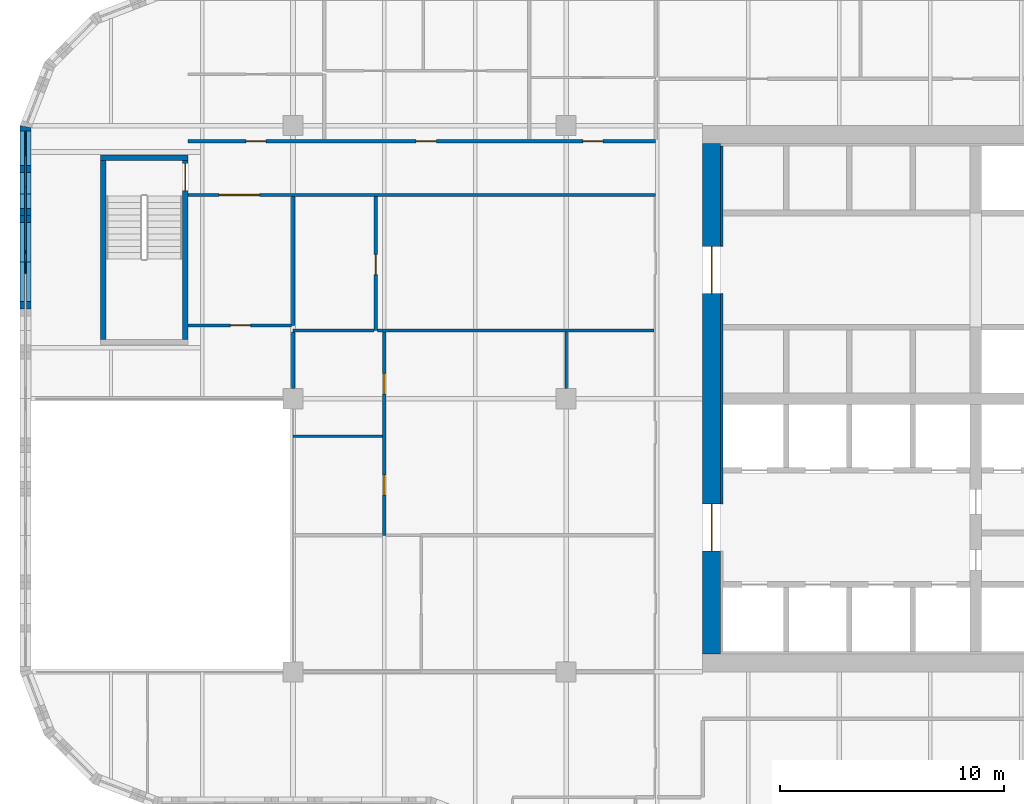
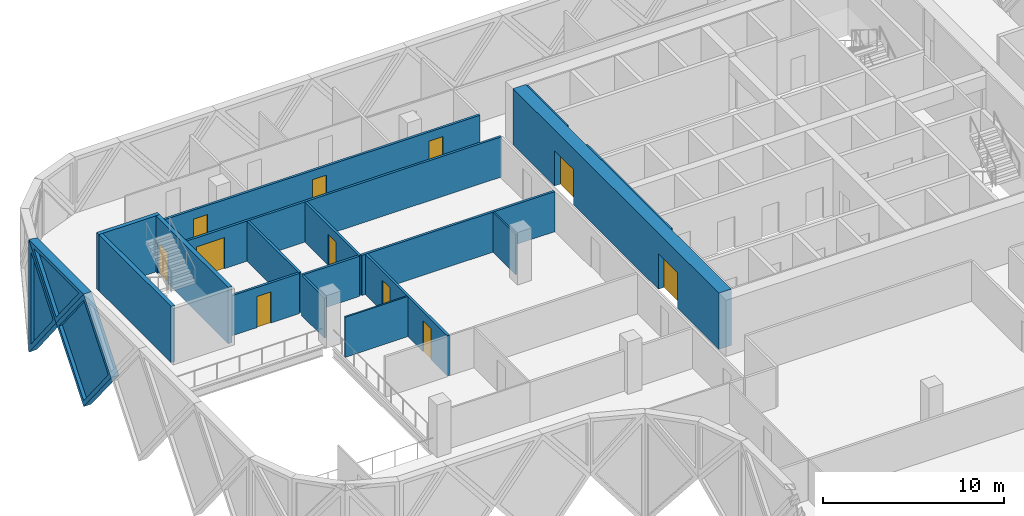
# One storey, part 10 of 24: 20 walls, 11 doors, 3 plates, 14 openings.
"""IFC4 building model written with IfcOpenShell, lengths in metres."""

from ifc_helpers import new_model, si_unit, direction, frame, frame_2d, origin, place, context, subcontext, project, spatial, polyline, rectangle, outline, extrude, faceted_brep, source, transform, mapped, material, layer, layer_set, type_object, element, fill, save


model = new_model("IFC4")

# Units and contexts
model_context = context("Model", 3, precision=1e-05, world=origin(), true_north=direction((0.0, 1.0)))
body_context = subcontext(model_context, "Body", "Model", "MODEL_VIEW")
ifc_project = project(units=[si_unit("LENGTHUNIT", "METRE"), si_unit("AREAUNIT", "SQUARE_METRE"), si_unit("VOLUMEUNIT", "CUBIC_METRE"), si_unit("PLANEANGLEUNIT", "RADIAN"), si_unit("MASSUNIT", "GRAM", prefix="KILO")], contexts=[model_context])

# Site, building, storey
site_placement = place(None, origin())
site = spatial("IfcSite", under=ifc_project, at=site_placement, CompositionType="ELEMENT")
building_placement = place(site_placement, origin())
building = spatial("IfcBuilding", under=site, at=building_placement, Name="Tessera Gate Towers", CompositionType="ELEMENT")
storey_placement = place(building_placement, frame((0.0, 0.0, 102.800048828125)))
storey = spatial("IfcBuildingStorey", under=building, at=storey_placement, Name="L25", CompositionType="ELEMENT", Elevation=102.800048828125)

# Walls
ifc_material_1 = material(Name="Concrete C40/50", Category="concrete")
ifc_layer_1 = layer(ifc_material_1, 0.25)
ifc_layer_set_1 = layer_set([ifc_layer_1], Name="CORE ENCLOSURE WALL 250")
wall_type_1 = type_object("IfcWallType", Name="CORE ENCLOSURE WALL 250", PredefinedType="SOLIDWALL", material=ifc_layer_set_1)
wall_1_placement = place(storey_placement, frame((3.72509765625, 39.25, 0.0), z_axis=(0.0, 0.0, 1.0), x_axis=(0.0, 1.0, 0.0)))
element("IfcWall", 1, at=wall_1_placement, inside=storey, type_object=wall_type_1, Name="L25 ST3 enclosure wall", PredefinedType="SOLIDWALL", context=body_context, shape_type="SweptSolid", body=[
    extrude(rectangle(XDim=8.0, YDim=0.25, at=frame_2d((4.0, 0.0))), origin(), (0.0, 0.0, 1.0), 3.800048828125),
])
wall_2_placement = place(storey_placement, frame((3.60009765625, 47.375, 0.0), z_axis=(0.0, 0.0, 1.0), x_axis=(1.0, 0.0, 0.0)))
element("IfcWall", 2, at=wall_2_placement, inside=storey, type_object=wall_type_1, Name="L25 ST3 enclosure wall", PredefinedType="SOLIDWALL", context=body_context, shape_type="SweptSolid", body=[
    extrude(rectangle(XDim=3.89990234375, YDim=0.25, at=frame_2d((1.949951171875, 0.0))), origin(), (0.0, 0.0, 1.0), 3.800048828125),
])

# Wall, opening, door
wall_3_placement = place(storey_placement, frame((7.375, 47.25, 0.0), z_axis=(0.0, 0.0, 1.0), x_axis=(0.0, -1.0, 0.0)))
wall_3 = element("IfcWall", 3, at=wall_3_placement, inside=storey, type_object=wall_type_1, Name="L25 ST3 enclosure wall", PredefinedType="SOLIDWALL", context=body_context, shape_type="SweptSolid", body=[
    extrude(rectangle(XDim=8.0, YDim=0.25, at=frame_2d((4.0, 0.0))), origin(), (0.0, 0.0, 1.0), 3.800048828125),
])
shared_shape_1 = source(origin(), body_context, "Body", "SweptSolid", [
    extrude(rectangle(XDim=1.199951171875, YDim=2.10009765625, at=frame_2d((0.60009765625, 1.050048828125))), frame((0.0, 0.135009765625, 0.0), z_axis=(0.0, -1.0, 0.0), x_axis=(1.0, 0.0, 0.0)), (0.0, 0.0, 1.0), 0.27001953125),
])
opening_1_placement = place(wall_3_placement, frame((0.14990234375, 0.0, 0.0)))
opening_1 = element("IfcOpeningElement", 4, at=opening_1_placement, cuts=wall_3, Name="Opening SD-ST3-1", PredefinedType="OPENING", context=body_context, shape_type="MappedRepresentation", body=[
    mapped(shared_shape_1, transform((0.0, 0.0, 0.0), scale=1.0)),
])
ifc_material_2 = material(Name="Hollow steel fire door", Category="steel")
door_type_1 = type_object("IfcDoorType", Name="CORE DOOR SD 1200x2100", OperationType="NOTDEFINED", PredefinedType="DOOR", material=ifc_material_2)
shared_shape_2 = source(origin(), body_context, "Body", "SweptSolid", [
    extrude(rectangle(XDim=1.199951171875, YDim=2.10009765625, at=frame_2d((0.60009765625, 1.050048828125))), frame((0.0, 0.02490234375, 0.0), z_axis=(0.0, -1.0, 0.0), x_axis=(1.0, 0.0, 0.0)), (0.0, 0.0, 1.0), 0.050048828125),
])
door_1_placement = place(opening_1_placement, origin())
door_1 = element("IfcDoor", 5, at=door_1_placement, inside=storey, type_object=door_type_1, Name="Stair door", OperationType="SINGLE_SWING_LEFT", OverallHeight=2.10009765625, OverallWidth=1.199951171875, PredefinedType="DOOR", context=body_context, shape_type="MappedRepresentation", body=[
    mapped(shared_shape_2, transform((0.0, 0.0, 0.0), scale=1.0)),
])
fill(opening_1, door_1)

# Wall, openings, doors
ifc_material_3 = material(Name="Concrete C60/75", Category="concrete")
ifc_layer_2 = layer(ifc_material_3, 0.800048828125)
ifc_layer_set_2 = layer_set([ifc_layer_2], Name="CORE SHEAR WALL 800 C60/75")
wall_type_2 = type_object("IfcWallType", Name="CORE SHEAR WALL 800 C60/75", PredefinedType="SHEAR", material=ifc_layer_set_2)
wall_4_placement = place(storey_placement, frame((30.89990234375, 25.199951171875, 0.0), z_axis=(0.0, 0.0, 1.0), x_axis=(0.0, 1.0, 0.0)))
wall_4 = element("IfcWall", 6, at=wall_4_placement, inside=storey, type_object=wall_type_2, Name="Core wall W L25", PredefinedType="SHEAR", context=body_context, shape_type="SweptSolid", body=[
    extrude(rectangle(XDim=22.800048828125, YDim=0.800048828125, at=frame_2d((11.39990234375, 0.0))), origin(), (0.0, 0.0, 1.0), 3.800048828125),
])
shared_shape_3 = source(origin(), body_context, "Body", "SweptSolid", [
    extrude(rectangle(XDim=2.10009765625, YDim=2.39990234375, at=frame_2d((1.050048828125, 1.199951171875))), frame((0.0, 0.409912109375, 0.0), z_axis=(0.0, -1.0, 0.0), x_axis=(1.0, 0.0, 0.0)), (0.0, 0.0, 1.0), 0.820068359375),
])
opening_2_placement = place(wall_4_placement, frame((4.60009765625, 0.0, 0.0)))
opening_2 = element("IfcOpeningElement", 7, at=opening_2_placement, cuts=wall_4, Name="Opening DD-T1-17-02", PredefinedType="OPENING", context=body_context, shape_type="MappedRepresentation", body=[
    mapped(shared_shape_3, transform((0.0, 0.0, 0.0), scale=1.0)),
])
opening_3_placement = place(wall_4_placement, frame((16.10009765625, 0.0, 0.0)))
opening_3 = element("IfcOpeningElement", 8, at=opening_3_placement, cuts=wall_4, Name="Opening DD-T1-17-03", PredefinedType="OPENING", context=body_context, shape_type="MappedRepresentation", body=[
    mapped(shared_shape_3, transform((0.0, 0.0, 0.0), scale=1.0)),
])
ifc_material_4 = material(Name="Hollow steel fire door", Category="steel")
door_type_2 = type_object("IfcDoorType", Name="CORE DOOR DD 2100x2400", OperationType="NOTDEFINED", PredefinedType="DOOR", material=ifc_material_4)
shared_shape_4 = source(origin(), body_context, "Body", "SweptSolid", [
    extrude(rectangle(XDim=2.10009765625, YDim=2.39990234375, at=frame_2d((1.050048828125, 1.199951171875))), frame((0.0, 0.02490234375, 0.0), z_axis=(0.0, -1.0, 0.0), x_axis=(1.0, 0.0, 0.0)), (0.0, 0.0, 1.0), 0.050048828125),
])
door_2_placement = place(opening_2_placement, origin())
door_2 = element("IfcDoor", 9, at=door_2_placement, inside=storey, type_object=door_type_2, Name="Core entrance door", OperationType="DOUBLE_DOOR_SINGLE_SWING", OverallHeight=2.39990234375, OverallWidth=2.10009765625, PredefinedType="DOOR", context=body_context, shape_type="MappedRepresentation", body=[
    mapped(shared_shape_4, transform((0.0, 0.0, 0.0), scale=1.0)),
])
fill(opening_2, door_2)
door_3_placement = place(opening_3_placement, origin())
door_3 = element("IfcDoor", 10, at=door_3_placement, inside=storey, type_object=door_type_2, Name="Core entrance door", OperationType="DOUBLE_DOOR_SINGLE_SWING", OverallHeight=2.39990234375, OverallWidth=2.10009765625, PredefinedType="DOOR", context=body_context, shape_type="MappedRepresentation", body=[
    mapped(shared_shape_4, transform((0.0, 0.0, 0.0), scale=1.0)),
])
fill(opening_3, door_3)

# Walls
ifc_material_5 = material(Name="Concrete C60/75", Category="concrete")
ifc_layer_3 = layer(ifc_material_5, 0.10009765625)
ifc_layer_set_3 = layer_set([ifc_layer_3], Name="CORE WALL THICKENING 100")
wall_type_3 = type_object("IfcWallType", Name="CORE WALL THICKENING 100", PredefinedType="SOLIDWALL", material=ifc_layer_set_3)
wall_5_placement = place(storey_placement, frame((31.35009765625, 31.89990234375, 0.0), z_axis=(0.0, 0.0, 1.0), x_axis=(0.0, 1.0, 0.0)))
element("IfcWall", 11, at=wall_5_placement, inside=storey, type_object=wall_type_3, Name="Core wall thickening W L25", PredefinedType="SOLIDWALL", context=body_context, shape_type="SweptSolid", body=[
    extrude(rectangle(XDim=9.400146484375, YDim=0.10009765625, at=frame_2d((4.7001953125, 0.0))), origin(), (0.0, 0.0, 1.0), 3.800048828125),
])
wall_6_placement = place(storey_placement, frame((31.35009765625, 43.39990234375, 0.0), z_axis=(0.0, 0.0, 1.0), x_axis=(0.0, 1.0, 0.0)))
element("IfcWall", 12, at=wall_6_placement, inside=storey, type_object=wall_type_3, Name="Core wall thickening W L25", PredefinedType="SOLIDWALL", context=body_context, shape_type="SweptSolid", body=[
    extrude(rectangle(XDim=4.5, YDim=0.10009765625, at=frame_2d((2.25, 0.0))), origin(), (0.0, 0.0, 1.0), 3.800048828125),
])

# Wall, opening, door
ifc_material_6 = material(Name="Gypsum board on steel studs, mineral wool", Category="steel")
ifc_layer_4 = layer(ifc_material_6, 0.14990234375)
ifc_layer_set_4 = layer_set([ifc_layer_4], Name="CORRIDOR WALL 150")
wall_type_4 = type_object("IfcWallType", Name="CORRIDOR WALL 150", PredefinedType="PARTITIONING", material=ifc_layer_set_4)
wall_7_placement = place(storey_placement, frame((28.39990234375, 45.699951171875, 0.0), z_axis=(0.0, 0.0, 1.0), x_axis=(-1.0, 0.0, 0.0)))
wall_7 = element("IfcWall", 13, at=wall_7_placement, inside=storey, type_object=wall_type_4, Name="T1-L25-PW-043", PredefinedType="PARTITIONING", context=body_context, shape_type="SweptSolid", body=[
    extrude(rectangle(XDim=20.89990234375, YDim=0.14990234375, at=frame_2d((10.449951171875, 0.0))), origin(), (0.0, 0.0, 1.0), 2.71484375),
])
shared_shape_5 = source(origin(), body_context, "Body", "SweptSolid", [
    extrude(rectangle(XDim=1.800048828125, YDim=2.10009765625, at=frame_2d((0.89990234375, 1.050048828125))), frame((0.0, 0.0849609375, 0.0), z_axis=(0.0, -1.0, 0.0), x_axis=(1.0, 0.0, 0.0)), (0.0, 0.0, 1.0), 0.169921875),
])
opening_4_placement = place(wall_7_placement, frame((17.699951171875, 0.0, 0.0)))
opening_4 = element("IfcOpeningElement", 14, at=opening_4_placement, cuts=wall_7, Name="Opening D2180FD60-A09-01", PredefinedType="OPENING", context=body_context, shape_type="MappedRepresentation", body=[
    mapped(shared_shape_5, transform((0.0, 0.0, 0.0), scale=1.0)),
])
ifc_material_7 = material(Name="Timber door leaf in steel frame", Category="steel")
door_type_3 = type_object("IfcDoorType", Name="TENANCY ENTRANCE DOUBLE DOOR 1800 FD60", OperationType="NOTDEFINED", PredefinedType="DOOR", material=ifc_material_7)
shared_shape_6 = source(origin(), body_context, "Body", "SweptSolid", [
    extrude(rectangle(XDim=1.800048828125, YDim=2.10009765625, at=frame_2d((0.89990234375, 1.050048828125))), frame((0.0, 0.02490234375, 0.0), z_axis=(0.0, -1.0, 0.0), x_axis=(1.0, 0.0, 0.0)), (0.0, 0.0, 1.0), 0.050048828125),
])
door_4_placement = place(opening_4_placement, origin())
door_4 = element("IfcDoor", 15, at=door_4_placement, inside=storey, type_object=door_type_3, Name="T1-L25-PD-007", OperationType="DOUBLE_DOOR_SINGLE_SWING", OverallHeight=2.10009765625, OverallWidth=1.800048828125, PredefinedType="DOOR", context=body_context, shape_type="MappedRepresentation", body=[
    mapped(shared_shape_6, transform((0.0, 0.0, 0.0), scale=1.0)),
])
fill(opening_4, door_4)

# Wall, openings, doors
wall_8_placement = place(storey_placement, frame((7.5, 48.10009765625, 0.0), z_axis=(0.0, 0.0, 1.0), x_axis=(1.0, 0.0, 0.0)))
wall_8 = element("IfcWall", 16, at=wall_8_placement, inside=storey, type_object=wall_type_4, Name="T1-L25-PW-044", PredefinedType="PARTITIONING", context=body_context, shape_type="SweptSolid", body=[
    extrude(rectangle(XDim=20.89990234375, YDim=0.14990234375, at=frame_2d((10.449951171875, 0.0))), origin(), (0.0, 0.0, 1.0), 2.71484375),
])
shared_shape_7 = source(origin(), body_context, "Body", "SweptSolid", [
    extrude(rectangle(XDim=0.89990234375, YDim=2.10009765625, at=frame_2d((0.449951171875, 1.050048828125))), frame((0.0, 0.0849609375, 0.0), z_axis=(0.0, -1.0, 0.0), x_axis=(1.0, 0.0, 0.0)), (0.0, 0.0, 1.0), 0.169921875),
])
opening_5_placement = place(wall_8_placement, frame((17.65087890625, 0.0, 0.0)))
opening_5 = element("IfcOpeningElement", 17, at=opening_5_placement, cuts=wall_8, Name="Opening D890FD60-A09-02", PredefinedType="OPENING", context=body_context, shape_type="MappedRepresentation", body=[
    mapped(shared_shape_7, transform((0.0, 0.0, 0.0), scale=1.0)),
])
opening_6_placement = place(wall_8_placement, frame((2.60009765625, 0.0, 0.0)))
opening_6 = element("IfcOpeningElement", 18, at=opening_6_placement, cuts=wall_8, Name="Opening D890FD60-A09-04", PredefinedType="OPENING", context=body_context, shape_type="MappedRepresentation", body=[
    mapped(shared_shape_7, transform((0.0, 0.0, 0.0), scale=1.0)),
])
opening_7_placement = place(wall_8_placement, frame((10.199951171875, 0.0, 0.0)))
opening_7 = element("IfcOpeningElement", 19, at=opening_7_placement, cuts=wall_8, Name="Opening D890FD60-A09-09", PredefinedType="OPENING", context=body_context, shape_type="MappedRepresentation", body=[
    mapped(shared_shape_7, transform((0.0, 0.0, 0.0), scale=1.0)),
])
ifc_material_8 = material(Name="Timber door leaf in steel frame", Category="steel")
door_type_4 = type_object("IfcDoorType", Name="CORRIDOR DOOR 900 FD60", OperationType="NOTDEFINED", PredefinedType="DOOR", material=ifc_material_8)
shared_shape_8 = source(origin(), body_context, "Body", "SweptSolid", [
    extrude(rectangle(XDim=0.89990234375, YDim=2.10009765625, at=frame_2d((0.449951171875, 1.050048828125))), frame((0.0, 0.02490234375, 0.0), z_axis=(0.0, -1.0, 0.0), x_axis=(1.0, 0.0, 0.0)), (0.0, 0.0, 1.0), 0.050048828125),
])
door_5_placement = place(opening_5_placement, origin())
door_5 = element("IfcDoor", 20, at=door_5_placement, inside=storey, type_object=door_type_4, Name="T1-L25-PD-010", OperationType="SINGLE_SWING_LEFT", OverallHeight=2.10009765625, OverallWidth=0.89990234375, PredefinedType="DOOR", context=body_context, shape_type="MappedRepresentation", body=[
    mapped(shared_shape_8, transform((0.0, 0.0, 0.0), scale=1.0)),
])
fill(opening_5, door_5)
door_6_placement = place(opening_6_placement, origin())
door_6 = element("IfcDoor", 21, at=door_6_placement, inside=storey, type_object=door_type_4, Name="T1-L25-PD-017", OperationType="SINGLE_SWING_LEFT", OverallHeight=2.10009765625, OverallWidth=0.89990234375, PredefinedType="DOOR", context=body_context, shape_type="MappedRepresentation", body=[
    mapped(shared_shape_8, transform((0.0, 0.0, 0.0), scale=1.0)),
])
fill(opening_6, door_6)
door_7_placement = place(opening_7_placement, origin())
door_7 = element("IfcDoor", 22, at=door_7_placement, inside=storey, type_object=door_type_4, Name="T1-L25-PD-028", OperationType="SINGLE_SWING_LEFT", OverallHeight=2.10009765625, OverallWidth=0.89990234375, PredefinedType="DOOR", context=body_context, shape_type="MappedRepresentation", body=[
    mapped(shared_shape_8, transform((0.0, 0.0, 0.0), scale=1.0)),
])
fill(opening_7, door_7)

# Walls
ifc_material_9 = material(Name="Gypsum board on steel studs", Category="steel")
ifc_layer_5 = layer(ifc_material_9, 0.10009765625)
ifc_layer_set_5 = layer_set([ifc_layer_5], Name="PARTITION 100")
wall_type_5 = type_object("IfcWallType", Name="PARTITION 100", PredefinedType="PARTITIONING", material=ifc_layer_set_5)
wall_9_placement = place(storey_placement, frame((12.199951171875, 34.919921875, 0.0), z_axis=(0.0, 0.0, 1.0), x_axis=(1.0, 0.0, 0.0)))
element("IfcWall", 23, at=wall_9_placement, inside=storey, type_object=wall_type_5, Name="T1-L25-PW-035", PredefinedType="PARTITIONING", context=body_context, shape_type="SweptSolid", body=[
    extrude(rectangle(XDim=3.9990234375, YDim=0.10009765625, at=frame_2d((1.99951171875, 0.0))), origin(), (0.0, 0.0, 1.0), 2.71484375),
])
wall_10_placement = place(storey_placement, frame((24.39990234375, 37.050048828125, 0.0), z_axis=(0.0, 0.0, 1.0), x_axis=(0.0, 1.0, 0.0)))
element("IfcWall", 24, at=wall_10_placement, inside=storey, type_object=wall_type_5, Name="T1-L25-PW-037", PredefinedType="PARTITIONING", context=body_context, shape_type="SweptSolid", body=[
    extrude(rectangle(XDim=2.52490234375, YDim=0.10009765625, at=frame_2d((1.262451171875, 0.0))), origin(), (0.0, 0.0, 1.0), 2.71484375),
])

# Wall, openings, doors
ifc_material_10 = material(Name="Gypsum board on steel studs, mineral wool", Category="steel")
ifc_layer_6 = layer(ifc_material_10, 0.14990234375)
ifc_layer_set_6 = layer_set([ifc_layer_6], Name="TENANCY WALL 150")
wall_type_6 = type_object("IfcWallType", Name="TENANCY WALL 150", PredefinedType="PARTITIONING", material=ifc_layer_set_6)
wall_11_placement = place(storey_placement, frame((16.27490234375, 30.5, 0.0), z_axis=(0.0, 0.0, 1.0), x_axis=(0.0, 1.0, 0.0)))
wall_11 = element("IfcWall", 25, at=wall_11_placement, inside=storey, type_object=wall_type_6, Name="T1-L25-PW-032", PredefinedType="PARTITIONING", context=body_context, shape_type="SweptSolid", body=[
    extrude(rectangle(XDim=9.073974609375, YDim=0.14990234375, at=frame_2d((4.537109375, 0.0))), origin(), (0.0, 0.0, 1.0), 2.71484375),
])
opening_8_placement = place(wall_11_placement, frame((1.800048828125, 0.0, 0.0)))
opening_8 = element("IfcOpeningElement", 26, at=opening_8_placement, cuts=wall_11, Name="Opening D190-A09-02", PredefinedType="OPENING", context=body_context, shape_type="MappedRepresentation", body=[
    mapped(shared_shape_7, transform((0.0, 0.0, 0.0), scale=1.0)),
])
opening_9_placement = place(wall_11_placement, frame((6.3203125, 0.0, 0.0)))
opening_9 = element("IfcOpeningElement", 27, at=opening_9_placement, cuts=wall_11, Name="Opening D190-A09-04", PredefinedType="OPENING", context=body_context, shape_type="MappedRepresentation", body=[
    mapped(shared_shape_7, transform((0.0, 0.0, 0.0), scale=1.0)),
])
ifc_material_11 = material(Name="Timber door leaf in steel frame", Category="steel")
door_type_5 = type_object("IfcDoorType", Name="INTERNAL DOOR 900 NOT RATED", OperationType="NOTDEFINED", PredefinedType="DOOR", material=ifc_material_11)
door_8_placement = place(opening_8_placement, origin())
door_8 = element("IfcDoor", 28, at=door_8_placement, inside=storey, type_object=door_type_5, Name="T1-L25-PD-003", OperationType="SINGLE_SWING_LEFT", OverallHeight=2.10009765625, OverallWidth=0.89990234375, PredefinedType="DOOR", context=body_context, shape_type="MappedRepresentation", body=[
    mapped(shared_shape_8, transform((0.0, 0.0, 0.0), scale=1.0)),
])
fill(opening_8, door_8)
door_9_placement = place(opening_9_placement, origin())
door_9 = element("IfcDoor", 29, at=door_9_placement, inside=storey, type_object=door_type_5, Name="T1-L25-PD-005", OperationType="SINGLE_SWING_LEFT", OverallHeight=2.10009765625, OverallWidth=0.89990234375, PredefinedType="DOOR", context=body_context, shape_type="MappedRepresentation", body=[
    mapped(shared_shape_8, transform((0.0, 0.0, 0.0), scale=1.0)),
])
fill(opening_9, door_9)

# Walls
wall_12_placement = place(storey_placement, frame((12.199951171875, 37.051025390625, 0.0), z_axis=(0.0, 0.0, 1.0), x_axis=(0.0, 1.0, 0.0)))
element("IfcWall", 30, at=wall_12_placement, inside=storey, type_object=wall_type_6, Name="T1-L25-PW-036", PredefinedType="PARTITIONING", context=body_context, shape_type="SweptSolid", body=[
    extrude(rectangle(XDim=2.52294921875, YDim=0.14990234375, at=frame_2d((1.261474609375, 0.0))), origin(), (0.0, 0.0, 1.0), 2.71484375),
])
wall_13_placement = place(storey_placement, frame((12.199951171875, 39.64990234375, 0.0), z_axis=(0.0, 0.0, 1.0), x_axis=(1.0, 0.0, 0.0)))
element("IfcWall", 31, at=wall_13_placement, inside=storey, type_object=wall_type_6, Name="T1-L25-PW-038", PredefinedType="PARTITIONING", context=body_context, shape_type="SweptSolid", body=[
    extrude(rectangle(XDim=3.6240234375, YDim=0.14990234375, at=frame_2d((1.81201171875, 0.0))), origin(), (0.0, 0.0, 1.0), 2.71484375),
])

# Wall, opening, door
wall_14_placement = place(storey_placement, frame((15.89990234375, 39.64990234375, 0.0), z_axis=(0.0, 0.0, 1.0), x_axis=(0.0, 1.0, 0.0)))
wall_14 = element("IfcWall", 32, at=wall_14_placement, inside=storey, type_object=wall_type_6, Name="T1-L25-PW-039", PredefinedType="PARTITIONING", context=body_context, shape_type="SweptSolid", body=[
    extrude(rectangle(XDim=5.97412109375, YDim=0.14990234375, at=frame_2d((2.987060546875, 0.0))), origin(), (0.0, 0.0, 1.0), 2.71484375),
])
opening_10_placement = place(wall_14_placement, frame((2.5, 0.0, 0.0)))
opening_10 = element("IfcOpeningElement", 33, at=opening_10_placement, cuts=wall_14, Name="Opening D190-A09-08", PredefinedType="OPENING", context=body_context, shape_type="MappedRepresentation", body=[
    mapped(shared_shape_7, transform((0.0, 0.0, 0.0), scale=1.0)),
])
door_10_placement = place(opening_10_placement, origin())
door_10 = element("IfcDoor", 34, at=door_10_placement, inside=storey, type_object=door_type_5, Name="T1-L25-PD-014", OperationType="SINGLE_SWING_LEFT", OverallHeight=2.10009765625, OverallWidth=0.89990234375, PredefinedType="DOOR", context=body_context, shape_type="MappedRepresentation", body=[
    mapped(shared_shape_8, transform((0.0, 0.0, 0.0), scale=1.0)),
])
fill(opening_10, door_10)

# Wall
wall_15_placement = place(storey_placement, frame((15.97607421875, 39.64990234375, 0.0), z_axis=(0.0, 0.0, 1.0), x_axis=(1.0, 0.0, 0.0)))
element("IfcWall", 35, at=wall_15_placement, inside=storey, type_object=wall_type_6, Name="T1-L25-PW-040", PredefinedType="PARTITIONING", context=body_context, shape_type="SweptSolid", body=[
    extrude(rectangle(XDim=12.347900390625, YDim=0.14990234375, at=frame_2d((6.173828125, 0.0))), origin(), (0.0, 0.0, 1.0), 2.71484375),
])

# Wall, opening, door
wall_16_placement = place(storey_placement, frame((12.1240234375, 39.875, 0.0), z_axis=(0.0, 0.0, 1.0), x_axis=(-1.0, 0.0, 0.0)))
wall_16 = element("IfcWall", 36, at=wall_16_placement, inside=storey, type_object=wall_type_6, Name="T1-L25-PW-041", PredefinedType="PARTITIONING", context=body_context, shape_type="SweptSolid", body=[
    extrude(rectangle(XDim=4.6240234375, YDim=0.14990234375, at=frame_2d((2.31201171875, 0.0))), origin(), (0.0, 0.0, 1.0), 2.71484375),
])
opening_11_placement = place(wall_16_placement, frame((1.823974609375, 0.0, 0.0)))
opening_11 = element("IfcOpeningElement", 37, at=opening_11_placement, cuts=wall_16, Name="Opening D190-A09-03", PredefinedType="OPENING", context=body_context, shape_type="MappedRepresentation", body=[
    mapped(shared_shape_7, transform((0.0, 0.0, 0.0), scale=1.0)),
])
door_11_placement = place(opening_11_placement, origin())
door_11 = element("IfcDoor", 38, at=door_11_placement, inside=storey, type_object=door_type_5, Name="T1-L25-PD-004", OperationType="SINGLE_SWING_RIGHT", OverallHeight=2.10009765625, OverallWidth=0.89990234375, PredefinedType="DOOR", context=body_context, shape_type="MappedRepresentation", body=[
    mapped(shared_shape_8, transform((0.0, 0.0, 0.0), scale=1.0)),
])
fill(opening_11, door_11)

# Wall
wall_17_placement = place(storey_placement, frame((12.199951171875, 39.875, 0.0), z_axis=(0.0, 0.0, 1.0), x_axis=(0.0, 1.0, 0.0)))
element("IfcWall", 39, at=wall_17_placement, inside=storey, type_object=wall_type_6, Name="T1-L25-PW-042", PredefinedType="PARTITIONING", context=body_context, shape_type="SweptSolid", body=[
    extrude(rectangle(XDim=5.7490234375, YDim=0.14990234375, at=frame_2d((2.87451171875, 0.0))), origin(), (0.0, 0.0, 1.0), 2.71484375),
])

# Wall, opening, plate
ifc_material_12 = material(Name="Precast concrete C60/75 white", Category="concrete")
ifc_layer_7 = layer(ifc_material_12, 0.5)
ifc_layer_set_7 = layer_set([ifc_layer_7], Name="TS1 tessera")
wall_type_7 = type_object("IfcWallType", Name="TS1 tessera", PredefinedType="SOLIDWALL", material=ifc_layer_set_7)
shared_shape_9 = source(origin(), body_context, "Body", "SweptSolid", [
    extrude(outline(polyline([(3.050048828125, 0.0), (6.10009765625, 3.800048828125), (3.050048828125, 7.60009765625), (0.0, 3.800048828125), (3.050048828125, 0.0)])), frame((0.0, 0.25, 0.0), z_axis=(0.0, -1.0, 0.0), x_axis=(1.0, 0.0, 0.0)), (0.0, 0.0, 1.0), 0.5),
])
wall_18_placement = place(storey_placement, frame((0.25, 45.75, -3.800048828125), z_axis=(0.0, 0.0, 1.0), x_axis=(0.0, -1.0, 0.0)))
wall_18 = element("IfcWall", 40, at=wall_18_placement, inside=storey, type_object=wall_type_7, Name="Precast tessera T1 TS1-0432", PredefinedType="SOLIDWALL", context=body_context, shape_type="MappedRepresentation", body=[
    mapped(shared_shape_9, transform((0.0, 0.0, 0.0), scale=1.0)),
])
shared_shape_10 = source(origin(), body_context, "Body", "SweptSolid", [
    extrude(outline(polyline([(3.050048828125, 0.3994140625), (5.779541015625, 3.800048828125), (3.050048828125, 7.20068359375), (0.320556640625, 3.800048828125), (3.050048828125, 0.3994140625)])), frame((0.0, 0.260009765625, 0.0), z_axis=(0.0, -1.0, 0.0), x_axis=(1.0, 0.0, 0.0)), (0.0, 0.0, 1.0), 0.52001953125),
])
opening_12_placement = place(wall_18_placement, origin())
opening_12 = element("IfcOpeningElement", 41, at=opening_12_placement, cuts=wall_18, Name="Opening T1-PL2-0876", PredefinedType="OPENING", context=body_context, shape_type="MappedRepresentation", body=[
    mapped(shared_shape_10, transform((0.0, 0.0, 0.0), scale=1.0)),
])
ifc_material_13 = material(Name="Low-e laminated glass", Category="glass")
ifc_layer_8 = layer(ifc_material_13, 0.06005859375)
ifc_layer_set_8 = layer_set([ifc_layer_8], Name="PL2 rhombic pane")
plate_type_1 = type_object("IfcPlateType", Name="PL2 rhombic pane", PredefinedType="SHEET", material=ifc_layer_set_8)
shared_shape_11 = source(origin(), body_context, "Body", "SweptSolid", [
    extrude(outline(polyline([(3.050048828125, 0.3994140625), (5.779541015625, 3.800048828125), (3.050048828125, 7.20068359375), (0.320556640625, 3.800048828125), (3.050048828125, 0.3994140625)])), frame((0.0, 0.030029296875, 0.0), z_axis=(0.0, -1.0, 0.0), x_axis=(1.0, 0.0, 0.0)), (0.0, 0.0, 1.0), 0.06005859375),
])
plate_1_placement = place(opening_12_placement, origin())
plate_1 = element("IfcPlate", 42, at=plate_1_placement, inside=storey, type_object=plate_type_1, Name="Glass pane T1 PL2-0876", PredefinedType="SHEET", context=body_context, shape_type="MappedRepresentation", body=[
    mapped(shared_shape_11, transform((0.0, 0.0, 0.0), scale=1.0)),
])
fill(opening_12, plate_1)

ifc_material_14 = material(Name="Precast concrete C60/75 white", Category="concrete")
ifc_layer_9 = layer(ifc_material_14, 0.5)
ifc_layer_set_9 = layer_set([ifc_layer_9], Name="TS3 corner tessera")
wall_type_8 = type_object("IfcWallType", Name="TS3 corner tessera", PredefinedType="SOLIDWALL", material=ifc_layer_set_9)
shared_shape_12 = source(origin(), body_context, "Body", "Brep", [
    faceted_brep([(0.046630859375, -0.25, 0.0), (3.050048828125, -0.25, 3.800048828125), (0.046630859375, -0.25, 7.60009765625), (0.0, -0.25, 7.5400390625), (0.0, -0.25, 0.06005859375), (0.09326171875, 0.25, 7.541259765625), (3.050048828125, 0.25, 3.800048828125), (0.09326171875, 0.25, 0.058837890625), (0.046630859375, 0.0, 0.0), (0.046630859375, 0.0, 7.60009765625)], [[[0, 1, 2, 3, 4]], [[5, 6, 7]], [[7, 6, 1, 0, 8]], [[6, 5, 9, 2, 1]], [[3, 2, 9]], [[8, 0, 4]], [[7, 8, 4, 3, 9, 5]]]),
])
wall_19_placement = place(storey_placement, frame((0.25, 48.800048828125, -3.800048828125), z_axis=(0.0, 0.0, 1.0), x_axis=(0.0, -1.0, 0.0)))
wall_19 = element("IfcWall", 43, at=wall_19_placement, inside=storey, type_object=wall_type_8, Name="Precast corner tessera T1 TS3-0564", PredefinedType="SOLIDWALL", context=body_context, shape_type="MappedRepresentation", body=[
    mapped(shared_shape_12, transform((0.0, 0.0, 0.0), scale=1.0)),
])
shared_shape_13 = source(origin(), body_context, "Body", "SweptSolid", [
    extrude(outline(polyline([(0.24658203125, 0.65625), (2.7314453125, 3.800048828125), (0.24658203125, 6.94384765625), (0.24658203125, 0.65625)])), frame((0.0, 0.260009765625, 0.0), z_axis=(0.0, -1.0, 0.0), x_axis=(1.0, 0.0, 0.0)), (0.0, 0.0, 1.0), 0.52001953125),
])
opening_13_placement = place(wall_19_placement, origin())
opening_13 = element("IfcOpeningElement", 44, at=opening_13_placement, cuts=wall_19, Name="Opening T1-PL2-0875", PredefinedType="OPENING", context=body_context, shape_type="MappedRepresentation", body=[
    mapped(shared_shape_13, transform((0.0, 0.0, 0.0), scale=1.0)),
])
shared_shape_14 = source(origin(), body_context, "Body", "SweptSolid", [
    extrude(outline(polyline([(0.24658203125, 0.65625), (2.7314453125, 3.800048828125), (0.24658203125, 6.94384765625), (0.24658203125, 0.65625)])), frame((0.0, 0.030029296875, 0.0), z_axis=(0.0, -1.0, 0.0), x_axis=(1.0, 0.0, 0.0)), (0.0, 0.0, 1.0), 0.06005859375),
])
plate_2_placement = place(opening_13_placement, origin())
plate_2 = element("IfcPlate", 45, at=plate_2_placement, inside=storey, type_object=plate_type_1, Name="Glass pane T1 PL2-0875", PredefinedType="SHEET", context=body_context, shape_type="MappedRepresentation", body=[
    mapped(shared_shape_14, transform((0.0, 0.0, 0.0), scale=1.0)),
])
fill(opening_13, plate_2)

ifc_material_15 = material(Name="Precast concrete C60/75 white", Category="concrete")
ifc_layer_10 = layer(ifc_material_15, 0.5)
ifc_layer_set_10 = layer_set([ifc_layer_10], Name="TS2 half tessera")
wall_type_9 = type_object("IfcWallType", Name="TS2 half tessera", PredefinedType="SOLIDWALL", material=ifc_layer_set_10)
shared_shape_15 = source(origin(), body_context, "Body", "Brep", [
    faceted_brep([(3.00341796875, -0.25, 0.0), (6.053466796875, -0.25, 3.800048828125), (0.0, -0.25, 3.800048828125), (0.046630859375, 0.25, 3.800048828125), (6.053466796875, 0.25, 3.800048828125), (3.00341796875, 0.25, 0.0), (0.046630859375, 0.25, 3.7412109375), (0.0, 0.0, 3.800048828125)], [[[0, 1, 2]], [[3, 4, 5, 6]], [[5, 4, 1, 0]], [[4, 3, 7, 2, 1]], [[6, 5, 0, 2, 7]], [[6, 7, 3]]]),
])
wall_20_placement = place(storey_placement, frame((0.25, 48.75341796875, 0.0), z_axis=(0.0, 0.0, 1.0), x_axis=(0.0, -1.0, 0.0)))
wall_20 = element("IfcWall", 46, at=wall_20_placement, inside=storey, type_object=wall_type_9, Name="Precast half tessera T1 TS2-0132", PredefinedType="SOLIDWALL", context=body_context, shape_type="MappedRepresentation", body=[
    mapped(shared_shape_15, transform((0.0, 0.0, 0.0), scale=1.0)),
])
shared_shape_16 = source(origin(), body_context, "Body", "SweptSolid", [
    extrude(outline(polyline([(3.0048828125, 0.401123046875), (5.5322265625, 3.550048828125), (0.516357421875, 3.550048828125), (3.0048828125, 0.401123046875)])), frame((0.0, 0.260009765625, 0.0), z_axis=(0.0, -1.0, 0.0), x_axis=(1.0, 0.0, 0.0)), (0.0, 0.0, 1.0), 0.52001953125),
])
opening_14_placement = place(wall_20_placement, origin())
opening_14 = element("IfcOpeningElement", 47, at=opening_14_placement, cuts=wall_20, Name="Opening T1-PL1-0266", PredefinedType="OPENING", context=body_context, shape_type="MappedRepresentation", body=[
    mapped(shared_shape_16, transform((0.0, 0.0, 0.0), scale=1.0)),
])
ifc_material_16 = material(Name="Low-e laminated glass", Category="glass")
ifc_layer_11 = layer(ifc_material_16, 0.06005859375)
ifc_layer_set_11 = layer_set([ifc_layer_11], Name="PL1 triangular pane")
plate_type_2 = type_object("IfcPlateType", Name="PL1 triangular pane", PredefinedType="SHEET", material=ifc_layer_set_11)
shared_shape_17 = source(origin(), body_context, "Body", "SweptSolid", [
    extrude(outline(polyline([(3.0048828125, 0.401123046875), (5.5322265625, 3.550048828125), (0.516357421875, 3.550048828125), (3.0048828125, 0.401123046875)])), frame((0.0, 0.030029296875, 0.0), z_axis=(0.0, -1.0, 0.0), x_axis=(1.0, 0.0, 0.0)), (0.0, 0.0, 1.0), 0.06005859375),
])
plate_3_placement = place(opening_14_placement, origin())
plate_3 = element("IfcPlate", 48, at=plate_3_placement, inside=storey, type_object=plate_type_2, Name="Glass pane T1 PL1-0266", PredefinedType="SHEET", context=body_context, shape_type="MappedRepresentation", body=[
    mapped(shared_shape_17, transform((0.0, 0.0, 0.0), scale=1.0)),
])
fill(opening_14, plate_3)

save(model, "model.ifc")
